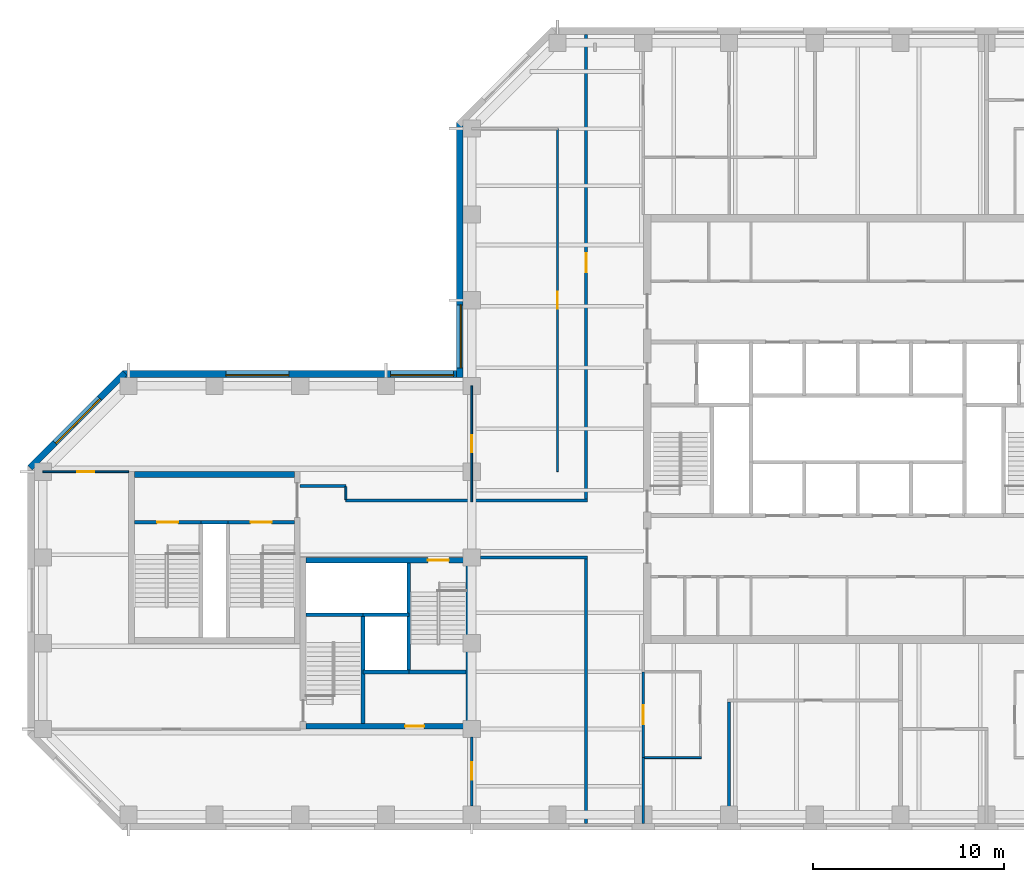
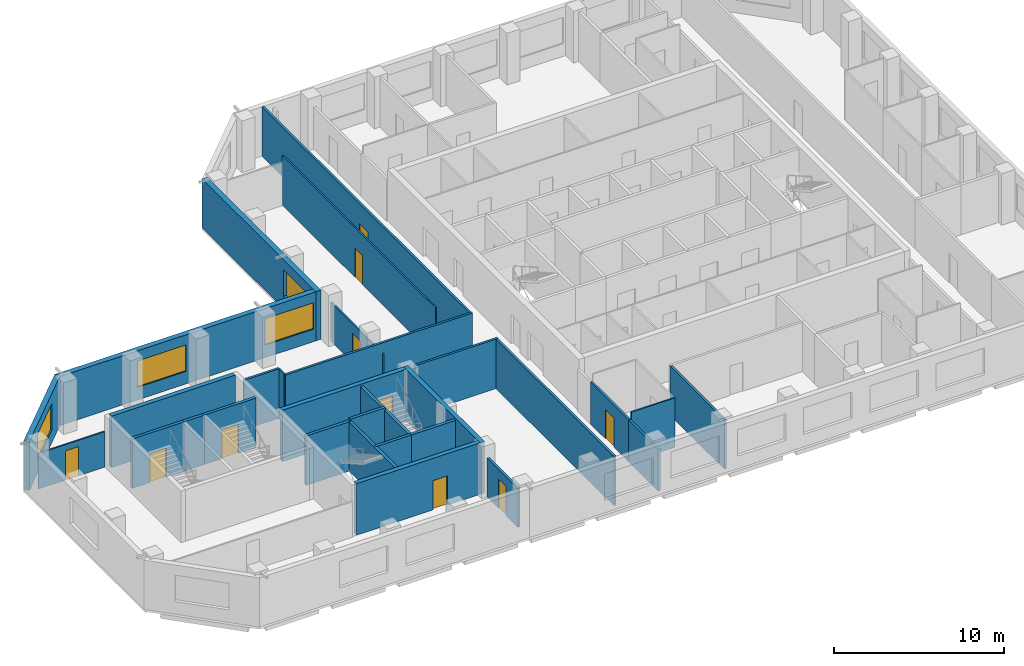
# One storey, part 3 of 9: 30 walls, 10 doors, 4 windows, 14 openings.
"""IFC4 building model written with IfcOpenShell, lengths in metres."""

from ifc_helpers import new_model, si_unit, direction, frame, frame_2d, origin, place, context, subcontext, project, spatial, rectangle, extrude, material, layer, layer_set, constituent, constituent_set, type_object, element, fill, save


model = new_model("IFC4")

# Units and contexts
model_context = context("Model", 3, precision=1e-05, world=origin(), true_north=direction((0.0, 1.0)))
body_context = subcontext(model_context, "Body", "Model", "MODEL_VIEW")
ifc_project = project(units=[si_unit("LENGTHUNIT", "METRE"), si_unit("AREAUNIT", "SQUARE_METRE"), si_unit("VOLUMEUNIT", "CUBIC_METRE"), si_unit("PLANEANGLEUNIT", "RADIAN"), si_unit("MASSUNIT", "GRAM", prefix="KILO")], contexts=[model_context])

# Site, building, storey
site_placement = place(None, origin())
site = spatial("IfcSite", under=ifc_project, at=site_placement, CompositionType="ELEMENT")
building_placement = place(site_placement, origin())
building = spatial("IfcBuilding", under=site, at=building_placement, Name="Quoin Convention Tower", CompositionType="ELEMENT")
storey_placement = place(building_placement, frame((0.0, 0.0, 215.60009765625)))
storey = spatial("IfcBuildingStorey", under=building, at=storey_placement, Name="L56", CompositionType="ELEMENT", Elevation=215.60009765625)

# Wall
ifc_material_1 = material(Name="Plasterboard")
ifc_layer_1 = layer(ifc_material_1, 0.012451171875, Name="Finish")
ifc_material_2 = material(Name="Steel stud framing", Category="steel")
ifc_layer_2 = layer(ifc_material_2, 0.125, Name="Structure")
ifc_layer_3 = layer(ifc_material_1, 0.012451171875, Name="Finish")
ifc_layer_set_1 = layer_set([ifc_layer_1, ifc_layer_2, ifc_layer_3], Name="Steel stud framing")
wall_type_1 = type_object("IfcWallType", Name="Acoustic partition 150", PredefinedType="PARTITIONING", material=ifc_layer_set_1)
wall_1_placement = place(storey_placement, frame((49.5, 40.050048828125, 0.0), z_axis=(0.0, 0.0, 1.0), x_axis=(0.0, 1.0, 0.0)))
element("IfcWall", 1, at=wall_1_placement, inside=storey, type_object=wall_type_1, Name="pw-L56-028", PredefinedType="PARTITIONING", context=body_context, shape_type="SweptSolid", body=[
    extrude(rectangle(XDim=6.375, YDim=0.14990234375, at=frame_2d((3.1875, 0.0))), origin(), (0.0, 0.0, 1.0), 3.5498046875),
])

# Wall, opening, window
ifc_material_3 = material(Name="Brick masonry", Category="masonry")
ifc_layer_4 = layer(ifc_material_3, 0.35009765625)
ifc_layer_set_2 = layer_set([ifc_layer_4], Name="Brick masonry")
wall_type_2 = type_object("IfcWallType", Name="Brick facade wall", PredefinedType="STANDARD", material=ifc_layer_set_2)
wall_2_placement = place(storey_placement, frame((35.375, 76.831298828125, 0.0), z_axis=(0.0, 0.0, 1.0), x_axis=(0.0, -1.0, 0.0)))
wall_2 = element("IfcWall", 2, at=wall_2_placement, inside=storey, type_object=wall_type_2, Name="fw-L56-36000_76500", PredefinedType="STANDARD", context=body_context, shape_type="SweptSolid", body=[
    extrude(rectangle(XDim=13.38134765625, YDim=0.35009765625, at=frame_2d((6.690673828125, 0.0))), origin(), (0.0, 0.0, 1.0), 3.52490234375),
])
opening_1_placement = place(wall_2_placement, frame((9.581298828125, 0.0, 0.89990234375)))
opening_1 = element("IfcOpeningElement", 3, at=opening_1_placement, cuts=wall_2, Name="Opening W-02", PredefinedType="OPENING", context=body_context, shape_type="SweptSolid", body=[
    extrude(rectangle(XDim=3.300048828125, YDim=1.89990234375, at=frame_2d((1.64990234375, 0.949951171875))), frame((0.0, 0.18505859375, 0.0), z_axis=(0.0, -1.0, 0.0), x_axis=(1.0, 0.0, 0.0)), (0.0, 0.0, 1.0), 0.3701171875),
])
ifc_material_4 = material(Name="Aluminium", Category="aluminium")
ifc_constituent_1 = constituent(ifc_material_4, Name="Frame")
ifc_material_5 = material(Name="Insulated glass", Category="glass")
ifc_constituent_2 = constituent(ifc_material_5, Name="Glazing")
ifc_constituent_set = constituent_set(constituents=[ifc_constituent_1, ifc_constituent_2], Name="Aluminium")
window_type = type_object("IfcWindowType", Name="Office window", PartitioningType="DOUBLE_PANEL_VERTICAL", PredefinedType="WINDOW", material=ifc_constituent_set)
window_1_placement = place(opening_1_placement, origin())
window_1 = element("IfcWindow", 4, at=window_1_placement, inside=storey, type_object=window_type, Name="win-L56-35375_65250", OverallHeight=1.89990234375, OverallWidth=3.300048828125, PartitioningType="SINGLE_PANEL", PredefinedType="WINDOW", context=body_context, shape_type="SweptSolid", body=[
    extrude(rectangle(XDim=3.300048828125, YDim=1.89990234375, at=frame_2d((1.64990234375, 0.949951171875))), frame((0.0, 0.0849609375, 0.0), z_axis=(0.0, -1.0, 0.0), x_axis=(1.0, 0.0, 0.0)), (0.0, 0.0, 1.0), 0.06005859375),
])
fill(opening_1, window_1)

# Wall, openings, windows
wall_3_placement = place(storey_placement, frame((35.550048828125, 63.625, 0.0), z_axis=(0.0, 0.0, 1.0), x_axis=(-1.0, 0.0, 0.0)))
wall_3 = element("IfcWall", 5, at=wall_3_placement, inside=storey, type_object=wall_type_2, Name="fw-L56-36000_63000", PredefinedType="STANDARD", context=body_context, shape_type="SweptSolid", body=[
    extrude(rectangle(XDim=17.88134765625, YDim=0.35009765625, at=frame_2d((8.940673828125, 0.0))), origin(), (0.0, 0.0, 1.0), 3.52490234375),
])
opening_2_placement = place(wall_3_placement, frame((0.5, 0.0, 0.89990234375)))
opening_2 = element("IfcOpeningElement", 6, at=opening_2_placement, cuts=wall_3, Name="Opening W-02", PredefinedType="OPENING", context=body_context, shape_type="SweptSolid", body=[
    extrude(rectangle(XDim=3.300048828125, YDim=1.89990234375, at=frame_2d((1.64990234375, 0.949951171875))), frame((0.0, 0.18505859375, 0.0), z_axis=(0.0, -1.0, 0.0), x_axis=(1.0, 0.0, 0.0)), (0.0, 0.0, 1.0), 0.3701171875),
])
opening_3_placement = place(wall_3_placement, frame((9.14990234375, 0.0, 0.89990234375)))
opening_3 = element("IfcOpeningElement", 7, at=opening_3_placement, cuts=wall_3, Name="Opening W-02", PredefinedType="OPENING", context=body_context, shape_type="SweptSolid", body=[
    extrude(rectangle(XDim=3.300048828125, YDim=1.89990234375, at=frame_2d((1.64990234375, 0.949951171875))), frame((0.0, 0.18505859375, 0.0), z_axis=(0.0, -1.0, 0.0), x_axis=(1.0, 0.0, 0.0)), (0.0, 0.0, 1.0), 0.3701171875),
])
window_2_placement = place(opening_2_placement, origin())
window_2 = element("IfcWindow", 8, at=window_2_placement, inside=storey, type_object=window_type, Name="win-L56-33750_63625", OverallHeight=1.89990234375, OverallWidth=3.300048828125, PartitioningType="SINGLE_PANEL", PredefinedType="WINDOW", context=body_context, shape_type="SweptSolid", body=[
    extrude(rectangle(XDim=3.300048828125, YDim=1.89990234375, at=frame_2d((1.64990234375, 0.949951171875))), frame((0.0, 0.0849609375, 0.0), z_axis=(0.0, -1.0, 0.0), x_axis=(1.0, 0.0, 0.0)), (0.0, 0.0, 1.0), 0.06005859375),
])
fill(opening_2, window_2)
window_3_placement = place(opening_3_placement, origin())
window_3 = element("IfcWindow", 9, at=window_3_placement, inside=storey, type_object=window_type, Name="win-L56-24750_63625", OverallHeight=1.89990234375, OverallWidth=3.300048828125, PartitioningType="SINGLE_PANEL", PredefinedType="WINDOW", context=body_context, shape_type="SweptSolid", body=[
    extrude(rectangle(XDim=3.300048828125, YDim=1.89990234375, at=frame_2d((1.64990234375, 0.949951171875))), frame((0.0, 0.0849609375, 0.0), z_axis=(0.0, -1.0, 0.0), x_axis=(1.0, 0.0, 0.0)), (0.0, 0.0, 1.0), 0.06005859375),
])
fill(opening_3, window_3)

# Wall, opening, window
wall_4_placement = place(storey_placement, frame((17.79248046875, 63.67626953125, 0.0), z_axis=(0.0, 0.0, 1.0), x_axis=(-0.707106781187, -0.707106781187, 0.0)))
wall_4 = element("IfcWall", 10, at=wall_4_placement, inside=storey, type_object=wall_type_2, Name="fw-L56-18000_63000", PredefinedType="STANDARD", context=body_context, shape_type="SweptSolid", body=[
    extrude(rectangle(XDim=7.02685546875, YDim=0.35009765625, at=frame_2d((3.513427734375, 0.0))), origin(), (0.0, 0.0, 1.0), 3.52490234375),
])
opening_4_placement = place(wall_4_placement, frame((1.86328125, 0.0, 0.89990234375)))
opening_4 = element("IfcOpeningElement", 11, at=opening_4_placement, cuts=wall_4, Name="Opening W-02", PredefinedType="OPENING", context=body_context, shape_type="SweptSolid", body=[
    extrude(rectangle(XDim=3.300048828125, YDim=1.89990234375, at=frame_2d((1.64990234375, 0.949951171875))), frame((0.0, 0.18505859375, 0.0), z_axis=(0.0, -1.0, 0.0), x_axis=(1.0, 0.0, 0.0)), (0.0, 0.0, 1.0), 0.3701171875),
])
window_4_placement = place(opening_4_placement, origin())
window_4 = element("IfcWindow", 12, at=window_4_placement, inside=storey, type_object=window_type, Name="win-L56-15308_61192", OverallHeight=1.89990234375, OverallWidth=3.300048828125, PartitioningType="SINGLE_PANEL", PredefinedType="WINDOW", context=body_context, shape_type="SweptSolid", body=[
    extrude(rectangle(XDim=3.300048828125, YDim=1.89990234375, at=frame_2d((1.64990234375, 0.949951171875))), frame((0.0, 0.0849609375, 0.0), z_axis=(0.0, -1.0, 0.0), x_axis=(1.0, 0.0, 0.0)), (0.0, 0.0, 1.0), 0.06005859375),
])
fill(opening_4, window_4)

# Walls
ifc_material_6 = material(Name="Concrete C50", Category="concrete")
ifc_layer_5 = layer(ifc_material_6, 0.199951171875)
ifc_layer_set_3 = layer_set([ifc_layer_5], Name="Concrete C50")
wall_type_3 = type_object("IfcWallType", Name="Core shaft wall", PredefinedType="SOLIDWALL", material=ifc_layer_set_3)
wall_5_placement = place(storey_placement, frame((30.300048828125, 48.0, 0.0), z_axis=(0.0, 0.0, 1.0), x_axis=(1.0, 0.0, 0.0)))
element("IfcWall", 13, at=wall_5_placement, inside=storey, type_object=wall_type_3, Name="cr-P2-L56-h3000_3300", PredefinedType="SOLIDWALL", context=body_context, shape_type="SweptSolid", body=[
    extrude(rectangle(XDim=2.39990234375, YDim=0.199951171875, at=frame_2d((1.199951171875, 0.0))), origin(), (0.0, 0.0, 1.0), 3.5498046875),
])
for number, where, z_axis, x_axis, name in (
    (14, (32.699951171875, 48.0, 0.0), (0.0, 0.0, 1.0), (1.0, 0.0, 0.0), "cr-P2-L56-h3000_5700"),
    (15, (27.300048828125, 51.0, 0.0), (0.0, 0.0, 1.0), (1.0, 0.0, 0.0), "cr-P2-L56-h6000_300"),
):
    element("IfcWall", number, at=place(storey_placement, frame(where, z_axis=z_axis, x_axis=x_axis)), inside=storey, type_object=wall_type_3, Name=name, PredefinedType="SOLIDWALL", context=body_context, shape_type="SweptSolid", body=[
        extrude(rectangle(XDim=3.0, YDim=0.199951171875, at=frame_2d((1.5, 0.0))), origin(), (0.0, 0.0, 1.0), 3.5498046875),
    ])
for number, where, z_axis, x_axis, name in (
    (16, (30.300048828125, 45.300048828125, 0.0), (0.0, 0.0, 1.0), (0.0, 1.0, 0.0), "cr-P2-L56-v3300_300"),
    (17, (32.699951171875, 48.0, 0.0), (0.0, 0.0, 1.0), (0.0, 1.0, 0.0), "cr-P2-L56-v5700_3000"),
):
    element("IfcWall", number, at=place(storey_placement, frame(where, z_axis=z_axis, x_axis=x_axis)), inside=storey, type_object=wall_type_3, Name=name, PredefinedType="SOLIDWALL", context=body_context, shape_type="SweptSolid", body=[
        extrude(rectangle(XDim=5.699951171875, YDim=0.199951171875, at=frame_2d((2.85009765625, 0.0))), origin(), (0.0, 0.0, 1.0), 3.5498046875),
    ])
wall_6_placement = place(storey_placement, frame((21.800048828125, 55.85009765625, 0.0), z_axis=(0.0, 0.0, 1.0), x_axis=(1.0, 0.0, 0.0)))
element("IfcWall", 18, at=wall_6_placement, inside=storey, type_object=wall_type_3, Name="cr-P6-L56-h6350_3800", PredefinedType="SOLIDWALL", context=body_context, shape_type="SweptSolid", body=[
    extrude(rectangle(XDim=1.39990234375, YDim=0.199951171875, at=frame_2d((0.699951171875, 0.0))), origin(), (0.0, 0.0, 1.0), 3.5498046875),
])

# Wall, opening, door
wall_7_placement = place(storey_placement, frame((18.300048828125, 55.85009765625, 0.0), z_axis=(0.0, 0.0, 1.0), x_axis=(1.0, 0.0, 0.0)))
wall_7 = element("IfcWall", 19, at=wall_7_placement, inside=storey, type_object=wall_type_3, Name="cr-P6-L56-h6350_300", PredefinedType="SOLIDWALL", context=body_context, shape_type="SweptSolid", body=[
    extrude(rectangle(XDim=3.5, YDim=0.199951171875, at=frame_2d((1.75, 0.0))), origin(), (0.0, 0.0, 1.0), 3.5498046875),
])
opening_5_placement = place(wall_7_placement, frame((1.199951171875, 0.0, 0.0)))
opening_5 = element("IfcOpeningElement", 20, at=opening_5_placement, cuts=wall_7, Name="Opening SD11", PredefinedType="OPENING", context=body_context, shape_type="SweptSolid", body=[
    extrude(rectangle(XDim=1.10009765625, YDim=2.10009765625, at=frame_2d((0.550048828125, 1.050048828125))), frame((0.0, 0.10986328125, 0.0), z_axis=(0.0, -1.0, 0.0), x_axis=(1.0, 0.0, 0.0)), (0.0, 0.0, 1.0), 0.219970703125),
])
ifc_material_7 = material(Name="Steel door leaf", Category="steel")
door_type_1 = type_object("IfcDoorType", Name="Stair door 1100 x 2100", OperationType="SINGLE_SWING_RIGHT", PredefinedType="DOOR", material=ifc_material_7)
door_1_placement = place(opening_5_placement, origin())
door_1 = element("IfcDoor", 21, at=door_1_placement, inside=storey, type_object=door_type_1, Name="cd-P6-L56-SA-R2-SD11", OperationType="SINGLE_SWING_RIGHT", OverallHeight=2.10009765625, OverallWidth=1.10009765625, PredefinedType="DOOR", context=body_context, shape_type="SweptSolid", body=[
    extrude(rectangle(XDim=1.10009765625, YDim=2.10009765625, at=frame_2d((0.550048828125, 1.050048828125))), frame((0.0, 0.02490234375, 0.0), z_axis=(0.0, -1.0, 0.0), x_axis=(1.0, 0.0, 0.0)), (0.0, 0.0, 1.0), 0.050048828125),
])
fill(opening_5, door_1)

wall_8_placement = place(storey_placement, frame((23.199951171875, 55.85009765625, 0.0), z_axis=(0.0, 0.0, 1.0), x_axis=(1.0, 0.0, 0.0)))
wall_8 = element("IfcWall", 22, at=wall_8_placement, inside=storey, type_object=wall_type_3, Name="cr-P6-L56-h6350_5200", PredefinedType="SOLIDWALL", context=body_context, shape_type="SweptSolid", body=[
    extrude(rectangle(XDim=3.5, YDim=0.199951171875, at=frame_2d((1.75, 0.0))), origin(), (0.0, 0.0, 1.0), 3.5498046875),
])
opening_6_placement = place(wall_8_placement, frame((1.199951171875, 0.0, 0.0)))
opening_6 = element("IfcOpeningElement", 23, at=opening_6_placement, cuts=wall_8, Name="Opening SD12", PredefinedType="OPENING", context=body_context, shape_type="SweptSolid", body=[
    extrude(rectangle(XDim=1.10009765625, YDim=2.10009765625, at=frame_2d((0.550048828125, 1.050048828125))), frame((0.0, 0.10986328125, 0.0), z_axis=(0.0, -1.0, 0.0), x_axis=(1.0, 0.0, 0.0)), (0.0, 0.0, 1.0), 0.219970703125),
])
door_2_placement = place(opening_6_placement, origin())
door_2 = element("IfcDoor", 24, at=door_2_placement, inside=storey, type_object=door_type_1, Name="cd-P6-L56-SB-R2-SD12", OperationType="SINGLE_SWING_RIGHT", OverallHeight=2.10009765625, OverallWidth=1.10009765625, PredefinedType="DOOR", context=body_context, shape_type="SweptSolid", body=[
    extrude(rectangle(XDim=1.10009765625, YDim=2.10009765625, at=frame_2d((0.550048828125, 1.050048828125))), frame((0.0, 0.02490234375, 0.0), z_axis=(0.0, -1.0, 0.0), x_axis=(1.0, 0.0, 0.0)), (0.0, 0.0, 1.0), 0.050048828125),
])
fill(opening_6, door_2)

# Walls
ifc_layer_6 = layer(ifc_material_6, 0.199951171875)
ifc_layer_set_4 = layer_set([ifc_layer_6], Name="Concrete C50")
wall_type_4 = type_object("IfcWallType", Name="Core shaft wall to the floor level over", PredefinedType="SOLIDWALL", material=ifc_layer_set_4)
wall_9_placement = place(storey_placement, frame((30.300048828125, 51.0, 0.0), z_axis=(0.0, 0.0, 1.0), x_axis=(1.0, 0.0, 0.0)))
element("IfcWall", 25, at=wall_9_placement, inside=storey, type_object=wall_type_4, Name="cr-P2-L56-h6000_3300", PredefinedType="SOLIDWALL", context=body_context, shape_type="SweptSolid", body=[
    extrude(rectangle(XDim=2.39990234375, YDim=0.199951171875, at=frame_2d((1.199951171875, 0.0))), origin(), (0.0, 0.0, 1.0), 3.699951171875),
])
ifc_layer_7 = layer(ifc_material_1, 0.012451171875, Name="Finish")
ifc_layer_8 = layer(ifc_material_2, 0.125, Name="Structure")
ifc_layer_9 = layer(ifc_material_1, 0.012451171875, Name="Finish")
ifc_layer_set_5 = layer_set([ifc_layer_7, ifc_layer_8, ifc_layer_9], Name="Steel stud framing")
wall_type_5 = type_object("IfcWallType", Name="Corridor wall 150", PredefinedType="PARTITIONING", material=ifc_layer_set_5)
wall_10_placement = place(storey_placement, frame((36.449951171875, 54.0, 0.0), z_axis=(0.0, 0.0, 1.0), x_axis=(1.0, 0.0, 0.0)))
element("IfcWall", 26, at=wall_10_placement, inside=storey, type_object=wall_type_5, Name="pw-L56-013", PredefinedType="PARTITIONING", context=body_context, shape_type="SweptSolid", body=[
    extrude(rectangle(XDim=5.625, YDim=0.14990234375, at=frame_2d((2.8125, 0.0))), origin(), (0.0, 0.0, 1.0), 3.5498046875),
])
wall_11_placement = place(storey_placement, frame((29.3798828125, 57.0, 0.0), z_axis=(0.0, 0.0, 1.0), x_axis=(1.0, 0.0, 0.0)))
element("IfcWall", 27, at=wall_11_placement, inside=storey, type_object=wall_type_5, Name="pw-L56-016", PredefinedType="PARTITIONING", context=body_context, shape_type="SweptSolid", body=[
    extrude(rectangle(XDim=12.695068359375, YDim=0.14990234375, at=frame_2d((6.34765625, 0.0))), origin(), (0.0, 0.0, 1.0), 3.5498046875),
])
wall_12_placement = place(storey_placement, frame((42.0, 40.050048828125, 0.0), z_axis=(0.0, 0.0, 1.0), x_axis=(0.0, 1.0, 0.0)))
element("IfcWall", 28, at=wall_12_placement, inside=storey, type_object=wall_type_5, Name="pw-L56-026", PredefinedType="PARTITIONING", context=body_context, shape_type="SweptSolid", body=[
    extrude(rectangle(XDim=13.875, YDim=0.14990234375, at=frame_2d((6.9375, 0.0))), origin(), (0.0, 0.0, 1.0), 3.5498046875),
])

# Wall, opening, door
wall_13_placement = place(storey_placement, frame((42.0, 57.074951171875, 0.0), z_axis=(0.0, 0.0, 1.0), x_axis=(0.0, 1.0, 0.0)))
wall_13 = element("IfcWall", 29, at=wall_13_placement, inside=storey, type_object=wall_type_5, Name="pw-L56-050", PredefinedType="PARTITIONING", context=body_context, shape_type="SweptSolid", body=[
    extrude(rectangle(XDim=24.375, YDim=0.14990234375, at=frame_2d((12.1875, 0.0))), origin(), (0.0, 0.0, 1.0), 3.5498046875),
])
opening_7_placement = place(wall_13_placement, frame((11.889892578125, 0.0, 0.0)))
opening_7 = element("IfcOpeningElement", 30, at=opening_7_placement, cuts=wall_13, Name="Opening DOH9-17", PredefinedType="OPENING", context=body_context, shape_type="SweptSolid", body=[
    extrude(rectangle(XDim=1.0, YDim=2.10009765625, at=frame_2d((0.5, 1.050048828125))), frame((0.0, 0.0849609375, 0.0), z_axis=(0.0, -1.0, 0.0), x_axis=(1.0, 0.0, 0.0)), (0.0, 0.0, 1.0), 0.169921875),
])
door_type_2 = type_object("IfcDoorType", Name="Tenancy entrance door 1000 x 2100", OperationType="DOUBLE_DOOR_SINGLE_SWING", PredefinedType="DOOR", material=ifc_material_7)
door_3_placement = place(opening_7_placement, origin())
door_3 = element("IfcDoor", 31, at=door_3_placement, inside=storey, type_object=door_type_2, Name="dr-L56-w01", OperationType="DOUBLE_DOOR_SINGLE_SWING", OverallHeight=2.10009765625, OverallWidth=1.0, PredefinedType="DOOR", context=body_context, shape_type="SweptSolid", body=[
    extrude(rectangle(XDim=1.0, YDim=2.10009765625, at=frame_2d((0.5, 1.050048828125))), frame((0.0, 0.02490234375, 0.0), z_axis=(0.0, -1.0, 0.0), x_axis=(1.0, 0.0, 0.0)), (0.0, 0.0, 1.0), 0.050048828125),
])
fill(opening_7, door_3)

# Walls
wall_14_placement = place(storey_placement, frame((27.0, 57.75, 0.0), z_axis=(0.0, 0.0, 1.0), x_axis=(1.0, 0.0, 0.0)))
element("IfcWall", 32, at=wall_14_placement, inside=storey, type_object=wall_type_5, Name="pw-L56-w07", PredefinedType="PARTITIONING", context=body_context, shape_type="SweptSolid", body=[
    extrude(rectangle(XDim=2.39990234375, YDim=0.14990234375, at=frame_2d((1.199951171875, 0.0))), origin(), (0.0, 0.0, 1.0), 3.5498046875),
])
ifc_layer_10 = layer(ifc_material_1, 0.012451171875, Name="Finish")
ifc_layer_11 = layer(ifc_material_2, 0.125, Name="Structure")
ifc_layer_12 = layer(ifc_material_1, 0.012451171875, Name="Finish")
ifc_layer_set_6 = layer_set([ifc_layer_10, ifc_layer_11, ifc_layer_12], Name="Steel stud framing")
wall_type_6 = type_object("IfcWallType", Name="Corridor wall 150 under beam 528", PredefinedType="PARTITIONING", material=ifc_layer_set_6)
wall_15_placement = place(storey_placement, frame((45.0, 40.050048828125, 0.0), z_axis=(0.0, 0.0, 1.0), x_axis=(0.0, 1.0, 0.0)))
element("IfcWall", 33, at=wall_15_placement, inside=storey, type_object=wall_type_6, Name="pw-L56-027", PredefinedType="PARTITIONING", context=body_context, shape_type="SweptSolid", body=[
    extrude(rectangle(XDim=3.449951171875, YDim=0.14990234375, at=frame_2d((1.72509765625, 0.0))), origin(), (0.0, 0.0, 1.0), 3.02197265625),
])

# Wall, opening, door
wall_16_placement = place(storey_placement, frame((45.0, 43.5, 0.0), z_axis=(0.0, 0.0, 1.0), x_axis=(0.0, 1.0, 0.0)))
wall_16 = element("IfcWall", 34, at=wall_16_placement, inside=storey, type_object=wall_type_6, Name="pw-L56-034", PredefinedType="PARTITIONING", context=body_context, shape_type="SweptSolid", body=[
    extrude(rectangle(XDim=4.5, YDim=0.14990234375, at=frame_2d((2.25, 0.0))), origin(), (0.0, 0.0, 1.0), 3.02197265625),
])
opening_8_placement = place(wall_16_placement, frame((1.75, 0.0, 0.0)))
opening_8 = element("IfcOpeningElement", 35, at=opening_8_placement, cuts=wall_16, Name="Opening DOH9-10", PredefinedType="OPENING", context=body_context, shape_type="SweptSolid", body=[
    extrude(rectangle(XDim=1.0, YDim=2.10009765625, at=frame_2d((0.5, 1.050048828125))), frame((0.0, 0.0849609375, 0.0), z_axis=(0.0, -1.0, 0.0), x_axis=(1.0, 0.0, 0.0)), (0.0, 0.0, 1.0), 0.169921875),
])
door_4_placement = place(opening_8_placement, origin())
door_4 = element("IfcDoor", 36, at=door_4_placement, inside=storey, type_object=door_type_2, Name="dr-L56-07", OperationType="DOUBLE_DOOR_SINGLE_SWING", OverallHeight=2.10009765625, OverallWidth=1.0, PredefinedType="DOOR", context=body_context, shape_type="SweptSolid", body=[
    extrude(rectangle(XDim=1.0, YDim=2.10009765625, at=frame_2d((0.5, 1.050048828125))), frame((0.0, 0.02490234375, 0.0), z_axis=(0.0, -1.0, 0.0), x_axis=(1.0, 0.0, 0.0)), (0.0, 0.0, 1.0), 0.050048828125),
])
fill(opening_8, door_4)

ifc_layer_13 = layer(ifc_material_1, 0.012451171875, Name="Finish")
ifc_layer_14 = layer(ifc_material_2, 0.125, Name="Structure")
ifc_layer_15 = layer(ifc_material_1, 0.012451171875, Name="Finish")
ifc_layer_set_7 = layer_set([ifc_layer_13, ifc_layer_14, ifc_layer_15], Name="Steel stud framing")
wall_type_7 = type_object("IfcWallType", Name="Corridor wall 150 under beam 750", PredefinedType="PARTITIONING", material=ifc_layer_set_7)
wall_17_placement = place(storey_placement, frame((36.0, 40.949951171875, 0.0), z_axis=(0.0, 0.0, 1.0), x_axis=(0.0, 1.0, 0.0)))
wall_17 = element("IfcWall", 37, at=wall_17_placement, inside=storey, type_object=wall_type_7, Name="pw-L56-033", PredefinedType="PARTITIONING", context=body_context, shape_type="SweptSolid", body=[
    extrude(rectangle(XDim=3.630126953125, YDim=0.14990234375, at=frame_2d((1.81494140625, 0.0))), origin(), (0.0, 0.0, 1.0), 2.7998046875),
])
opening_9_placement = place(wall_17_placement, frame((1.39990234375, 0.0, 0.0)))
opening_9 = element("IfcOpeningElement", 38, at=opening_9_placement, cuts=wall_17, Name="Opening DOH9-09", PredefinedType="OPENING", context=body_context, shape_type="SweptSolid", body=[
    extrude(rectangle(XDim=0.89990234375, YDim=2.10009765625, at=frame_2d((0.449951171875, 1.050048828125))), frame((0.0, 0.0849609375, 0.0), z_axis=(0.0, -1.0, 0.0), x_axis=(1.0, 0.0, 0.0)), (0.0, 0.0, 1.0), 0.169921875),
])
door_type_3 = type_object("IfcDoorType", Name="Office door 900 x 2100", OperationType="SINGLE_SWING_RIGHT", PredefinedType="DOOR", material=ifc_material_7)
door_5_placement = place(opening_9_placement, origin())
door_5 = element("IfcDoor", 39, at=door_5_placement, inside=storey, type_object=door_type_3, Name="dr-L56-01", OperationType="SINGLE_SWING_RIGHT", OverallHeight=2.10009765625, OverallWidth=0.89990234375, PredefinedType="DOOR", context=body_context, shape_type="SweptSolid", body=[
    extrude(rectangle(XDim=0.89990234375, YDim=2.10009765625, at=frame_2d((0.449951171875, 1.050048828125))), frame((0.0, 0.02490234375, 0.0), z_axis=(0.0, -1.0, 0.0), x_axis=(1.0, 0.0, 0.0)), (0.0, 0.0, 1.0), 0.050048828125),
])
fill(opening_9, door_5)

ifc_layer_16 = layer(ifc_material_6, 0.300048828125)
ifc_layer_set_8 = layer_set([ifc_layer_16], Name="Concrete C50")
wall_type_8 = type_object("IfcWallType", Name="RC CORE WALL 300 C50", PredefinedType="SHEAR", material=ifc_layer_set_8)
wall_18_placement = place(storey_placement, frame((27.300048828125, 45.14990234375, 0.0), z_axis=(0.0, 0.0, 1.0), x_axis=(1.0, 0.0, 0.0)))
wall_18 = element("IfcWall", 40, at=wall_18_placement, inside=storey, type_object=wall_type_8, Name="cwl-P2-L56-S", PredefinedType="SHEAR", context=body_context, shape_type="SweptSolid", body=[
    extrude(rectangle(XDim=8.39990234375, YDim=0.300048828125, at=frame_2d((4.199951171875, 0.0))), origin(), (0.0, 0.0, 1.0), 3.699951171875),
])
opening_10_placement = place(wall_18_placement, frame((5.199951171875, 0.0, 0.0)))
opening_10 = element("IfcOpeningElement", 41, at=opening_10_placement, cuts=wall_18, Name="Opening DCV1-50", PredefinedType="OPENING", context=body_context, shape_type="SweptSolid", body=[
    extrude(rectangle(XDim=1.0, YDim=2.10009765625, at=frame_2d((0.5, 1.050048828125))), frame((0.0, 0.159912109375, 0.0), z_axis=(0.0, -1.0, 0.0), x_axis=(1.0, 0.0, 0.0)), (0.0, 0.0, 1.0), 0.320068359375),
])
door_type_4 = type_object("IfcDoorType", Name="Service door 1000 x 2100", OperationType="SINGLE_SWING_LEFT", PredefinedType="DOOR", material=ifc_material_7)
door_6_placement = place(opening_10_placement, frame((1.0, 0.0, 0.0), z_axis=(0.0, 0.0, 1.0), x_axis=(-1.0, 0.0, 0.0)))
door_6 = element("IfcDoor", 42, at=door_6_placement, inside=storey, type_object=door_type_4, Name="cd-P2-L56-R2-S", OperationType="SINGLE_SWING_LEFT", OverallHeight=2.10009765625, OverallWidth=1.0, PredefinedType="DOOR", context=body_context, shape_type="SweptSolid", body=[
    extrude(rectangle(XDim=1.0, YDim=2.10009765625, at=frame_2d((0.5, 1.050048828125))), frame((0.0, 0.02490234375, 0.0), z_axis=(0.0, -1.0, 0.0), x_axis=(1.0, 0.0, 0.0)), (0.0, 0.0, 1.0), 0.050048828125),
])
fill(opening_10, door_6)

wall_19_placement = place(storey_placement, frame((27.300048828125, 53.85009765625, 0.0), z_axis=(0.0, 0.0, 1.0), x_axis=(1.0, 0.0, 0.0)))
wall_19 = element("IfcWall", 43, at=wall_19_placement, inside=storey, type_object=wall_type_8, Name="cwl-P2-L56-N", PredefinedType="SHEAR", context=body_context, shape_type="SweptSolid", body=[
    extrude(rectangle(XDim=8.39990234375, YDim=0.300048828125, at=frame_2d((4.199951171875, 0.0))), origin(), (0.0, 0.0, 1.0), 3.699951171875),
])
opening_11_placement = place(wall_19_placement, frame((6.39990234375, 0.0, 0.0)))
opening_11 = element("IfcOpeningElement", 44, at=opening_11_placement, cuts=wall_19, Name="Opening SD4", PredefinedType="OPENING", context=body_context, shape_type="SweptSolid", body=[
    extrude(rectangle(XDim=1.10009765625, YDim=2.10009765625, at=frame_2d((0.550048828125, 1.050048828125))), frame((0.0, 0.159912109375, 0.0), z_axis=(0.0, -1.0, 0.0), x_axis=(1.0, 0.0, 0.0)), (0.0, 0.0, 1.0), 0.320068359375),
])
door_7_placement = place(opening_11_placement, frame((1.10009765625, 0.0, 0.0), z_axis=(0.0, 0.0, 1.0), x_axis=(-1.0, 0.0, 0.0)))
door_7 = element("IfcDoor", 45, at=door_7_placement, inside=storey, type_object=door_type_1, Name="cd-P2-L56-SB-N", OperationType="SINGLE_SWING_LEFT", OverallHeight=2.10009765625, OverallWidth=1.10009765625, PredefinedType="DOOR", context=body_context, shape_type="SweptSolid", body=[
    extrude(rectangle(XDim=1.10009765625, YDim=2.10009765625, at=frame_2d((0.550048828125, 1.050048828125))), frame((0.0, 0.02490234375, 0.0), z_axis=(0.0, -1.0, 0.0), x_axis=(1.0, 0.0, 0.0)), (0.0, 0.0, 1.0), 0.050048828125),
])
fill(opening_11, door_7)

# Walls
wall_20_placement = place(storey_placement, frame((35.85009765625, 45.0, 0.0), z_axis=(0.0, 0.0, 1.0), x_axis=(0.0, 1.0, 0.0)))
element("IfcWall", 46, at=wall_20_placement, inside=storey, type_object=wall_type_8, Name="cwl-P2-L56-E", PredefinedType="SHEAR", context=body_context, shape_type="SweptSolid", body=[
    extrude(rectangle(XDim=9.0, YDim=0.300048828125, at=frame_2d((4.5, 0.0))), origin(), (0.0, 0.0, 1.0), 3.699951171875),
])
wall_21_placement = place(storey_placement, frame((18.300048828125, 58.35009765625, 0.0), z_axis=(0.0, 0.0, 1.0), x_axis=(1.0, 0.0, 0.0)))
element("IfcWall", 47, at=wall_21_placement, inside=storey, type_object=wall_type_8, Name="cwl-P6-L56-N", PredefinedType="SHEAR", context=body_context, shape_type="SweptSolid", body=[
    extrude(rectangle(XDim=8.39990234375, YDim=0.300048828125, at=frame_2d((4.199951171875, 0.0))), origin(), (0.0, 0.0, 1.0), 3.699951171875),
])
ifc_layer_17 = layer(ifc_material_1, 0.012451171875, Name="Finish")
ifc_layer_18 = layer(ifc_material_2, 0.074951171875, Name="Structure")
ifc_layer_19 = layer(ifc_material_1, 0.012451171875, Name="Finish")
ifc_layer_set_9 = layer_set([ifc_layer_17, ifc_layer_18, ifc_layer_19], Name="Steel stud framing")
wall_type_9 = type_object("IfcWallType", Name="Stud partition 100", PredefinedType="PARTITIONING", material=ifc_layer_set_9)
wall_22_placement = place(storey_placement, frame((45.074951171875, 43.5, 0.0), z_axis=(0.0, 0.0, 1.0), x_axis=(1.0, 0.0, 0.0)))
element("IfcWall", 48, at=wall_22_placement, inside=storey, type_object=wall_type_9, Name="pw-L56-001", PredefinedType="PARTITIONING", context=body_context, shape_type="SweptSolid", body=[
    extrude(rectangle(XDim=2.97509765625, YDim=0.10009765625, at=frame_2d((1.487548828125, 0.0))), origin(), (0.0, 0.0, 1.0), 3.5498046875),
])

# Wall, opening, door
wall_23_placement = place(storey_placement, frame((40.5, 76.5, 0.0), z_axis=(0.0, 0.0, 1.0), x_axis=(0.0, -1.0, 0.0)))
wall_23 = element("IfcWall", 49, at=wall_23_placement, inside=storey, type_object=wall_type_9, Name="pw-L56-w02", PredefinedType="PARTITIONING", context=body_context, shape_type="SweptSolid", body=[
    extrude(rectangle(XDim=18.0, YDim=0.10009765625, at=frame_2d((9.0, 0.0))), origin(), (0.0, 0.0, 1.0), 3.5498046875),
])
opening_12_placement = place(wall_23_placement, frame((8.550048828125, 0.0, 0.0)))
opening_12 = element("IfcOpeningElement", 50, at=opening_12_placement, cuts=wall_23, Name="Opening DOH9-22", PredefinedType="OPENING", context=body_context, shape_type="SweptSolid", body=[
    extrude(rectangle(XDim=0.89990234375, YDim=2.10009765625, at=frame_2d((0.449951171875, 1.050048828125))), frame((0.0, 0.06005859375, 0.0), z_axis=(0.0, -1.0, 0.0), x_axis=(1.0, 0.0, 0.0)), (0.0, 0.0, 1.0), 0.1201171875),
])
door_8_placement = place(opening_12_placement, frame((0.89990234375, 0.0, 0.0), z_axis=(0.0, 0.0, 1.0), x_axis=(-1.0, 0.0, 0.0)))
door_8 = element("IfcDoor", 51, at=door_8_placement, inside=storey, type_object=door_type_3, Name="dr-L56-w02", OperationType="SINGLE_SWING_RIGHT", OverallHeight=2.10009765625, OverallWidth=0.89990234375, PredefinedType="DOOR", context=body_context, shape_type="SweptSolid", body=[
    extrude(rectangle(XDim=0.89990234375, YDim=2.10009765625, at=frame_2d((0.449951171875, 1.050048828125))), frame((0.0, 0.02490234375, 0.0), z_axis=(0.0, -1.0, 0.0), x_axis=(1.0, 0.0, 0.0)), (0.0, 0.0, 1.0), 0.050048828125),
])
fill(opening_12, door_8)

# Wall
wall_24_placement = place(storey_placement, frame((29.39990234375, 57.715087890625, 0.0), z_axis=(0.0, 0.0, 1.0), x_axis=(0.0, -1.0, 0.0)))
element("IfcWall", 52, at=wall_24_placement, inside=storey, type_object=wall_type_9, Name="pw-L56-w08", PredefinedType="PARTITIONING", context=body_context, shape_type="SweptSolid", body=[
    extrude(rectangle(XDim=0.68017578125, YDim=0.10009765625, at=frame_2d((0.340087890625, 0.0))), origin(), (0.0, 0.0, 1.0), 3.5498046875),
])

# Wall, opening, door
ifc_layer_20 = layer(ifc_material_1, 0.012451171875, Name="Finish")
ifc_layer_21 = layer(ifc_material_2, 0.074951171875, Name="Structure")
ifc_layer_22 = layer(ifc_material_1, 0.012451171875, Name="Finish")
ifc_layer_set_10 = layer_set([ifc_layer_20, ifc_layer_21, ifc_layer_22], Name="Steel stud framing")
wall_type_10 = type_object("IfcWallType", Name="Stud partition 100 under beam 1000", PredefinedType="PARTITIONING", material=ifc_layer_set_10)
wall_25_placement = place(storey_placement, frame((13.5, 58.5, 0.0), z_axis=(0.0, 0.0, 1.0), x_axis=(1.0, 0.0, 0.0)))
wall_25 = element("IfcWall", 53, at=wall_25_placement, inside=storey, type_object=wall_type_10, Name="pw-L56-w04", PredefinedType="PARTITIONING", context=body_context, shape_type="SweptSolid", body=[
    extrude(rectangle(XDim=4.5, YDim=0.10009765625, at=frame_2d((2.25, 0.0))), origin(), (0.0, 0.0, 1.0), 2.5498046875),
])
opening_13_placement = place(wall_25_placement, frame((1.800048828125, 0.0, 0.0)))
opening_13 = element("IfcOpeningElement", 54, at=opening_13_placement, cuts=wall_25, Name="Opening DOH9-24", PredefinedType="OPENING", context=body_context, shape_type="SweptSolid", body=[
    extrude(rectangle(XDim=0.89990234375, YDim=2.10009765625, at=frame_2d((0.449951171875, 1.050048828125))), frame((0.0, 0.06005859375, 0.0), z_axis=(0.0, -1.0, 0.0), x_axis=(1.0, 0.0, 0.0)), (0.0, 0.0, 1.0), 0.1201171875),
])
door_9_placement = place(opening_13_placement, origin())
door_9 = element("IfcDoor", 55, at=door_9_placement, inside=storey, type_object=door_type_3, Name="dr-L56-w04", OperationType="SINGLE_SWING_RIGHT", OverallHeight=2.10009765625, OverallWidth=0.89990234375, PredefinedType="DOOR", context=body_context, shape_type="SweptSolid", body=[
    extrude(rectangle(XDim=0.89990234375, YDim=2.10009765625, at=frame_2d((0.449951171875, 1.050048828125))), frame((0.0, 0.02490234375, 0.0), z_axis=(0.0, -1.0, 0.0), x_axis=(1.0, 0.0, 0.0)), (0.0, 0.0, 1.0), 0.050048828125),
])
fill(opening_13, door_9)

ifc_layer_23 = layer(ifc_material_1, 0.012451171875, Name="Finish")
ifc_layer_24 = layer(ifc_material_2, 0.074951171875, Name="Structure")
ifc_layer_25 = layer(ifc_material_1, 0.012451171875, Name="Finish")
ifc_layer_set_11 = layer_set([ifc_layer_23, ifc_layer_24, ifc_layer_25], Name="Steel stud framing")
wall_type_11 = type_object("IfcWallType", Name="Stud partition 100 under beam 750", PredefinedType="PARTITIONING", material=ifc_layer_set_11)
wall_26_placement = place(storey_placement, frame((36.0, 63.0, 0.0), z_axis=(0.0, 0.0, 1.0), x_axis=(0.0, -1.0, 0.0)))
wall_26 = element("IfcWall", 56, at=wall_26_placement, inside=storey, type_object=wall_type_11, Name="pw-L56-w03", PredefinedType="PARTITIONING", context=body_context, shape_type="SweptSolid", body=[
    extrude(rectangle(XDim=6.074951171875, YDim=0.10009765625, at=frame_2d((3.03759765625, 0.0))), origin(), (0.0, 0.0, 1.0), 2.7998046875),
])
opening_14_placement = place(wall_26_placement, frame((2.587890625, 0.0, 0.0)))
opening_14 = element("IfcOpeningElement", 57, at=opening_14_placement, cuts=wall_26, Name="Opening DOH9-23", PredefinedType="OPENING", context=body_context, shape_type="SweptSolid", body=[
    extrude(rectangle(XDim=0.89990234375, YDim=2.10009765625, at=frame_2d((0.449951171875, 1.050048828125))), frame((0.0, 0.06005859375, 0.0), z_axis=(0.0, -1.0, 0.0), x_axis=(1.0, 0.0, 0.0)), (0.0, 0.0, 1.0), 0.1201171875),
])
door_10_placement = place(opening_14_placement, frame((0.89990234375, 0.0, 0.0), z_axis=(0.0, 0.0, 1.0), x_axis=(-1.0, 0.0, 0.0)))
door_10 = element("IfcDoor", 58, at=door_10_placement, inside=storey, type_object=door_type_3, Name="dr-L56-w03", OperationType="SINGLE_SWING_LEFT", OverallHeight=2.10009765625, OverallWidth=0.89990234375, PredefinedType="DOOR", context=body_context, shape_type="SweptSolid", body=[
    extrude(rectangle(XDim=0.89990234375, YDim=2.10009765625, at=frame_2d((0.449951171875, 1.050048828125))), frame((0.0, 0.02490234375, 0.0), z_axis=(0.0, -1.0, 0.0), x_axis=(1.0, 0.0, 0.0)), (0.0, 0.0, 1.0), 0.050048828125),
])
fill(opening_14, door_10)

save(model, "model.ifc")
